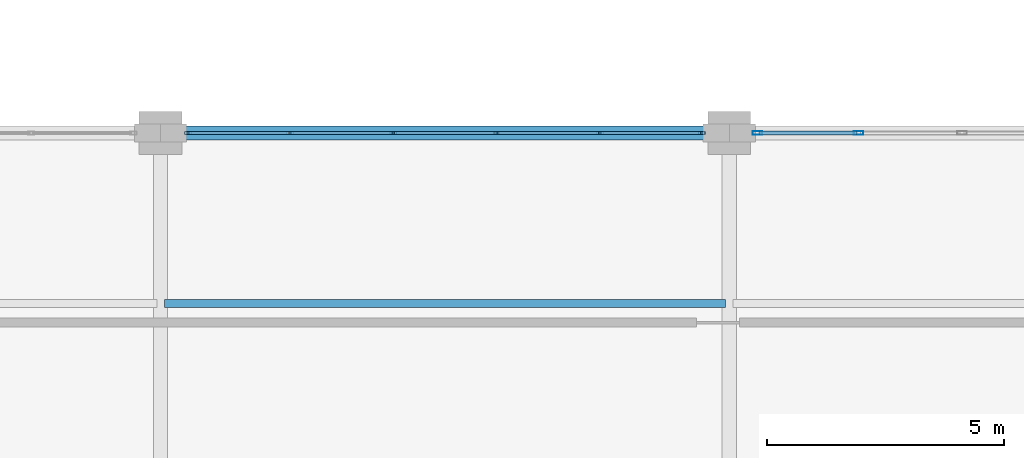
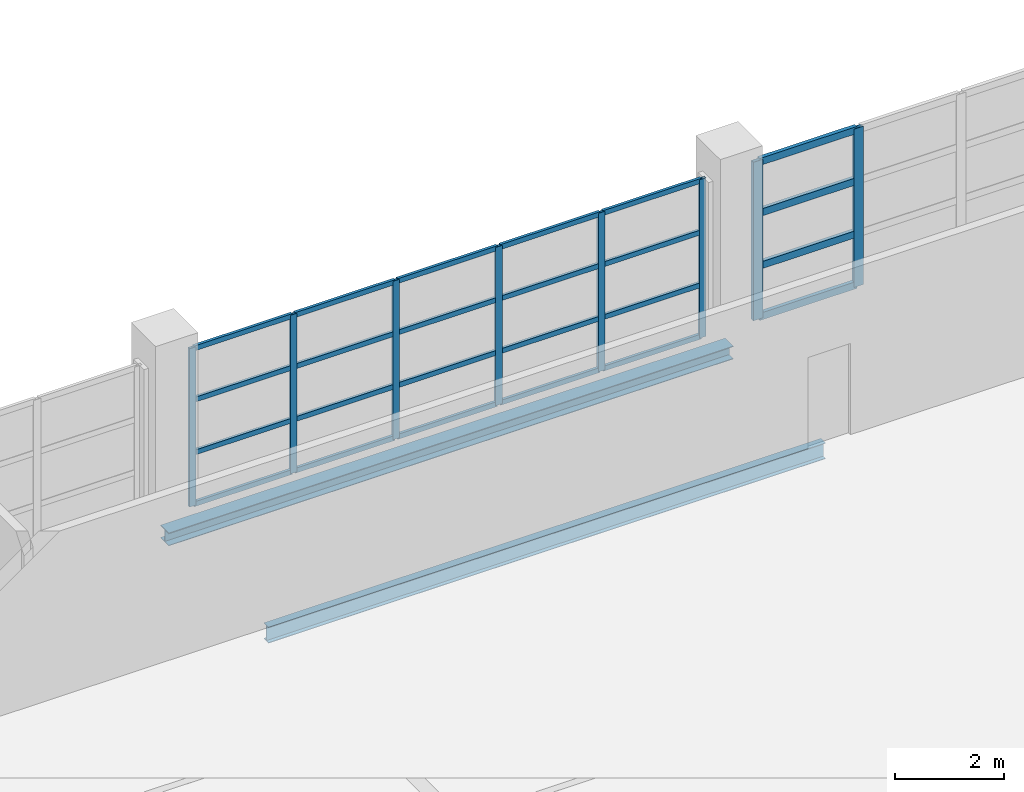
# One storey, part 94 of 158: 32 members, 2 beams, 2 elements without a shape of their own.
"""IFC4 building model written with IfcOpenShell, lengths in metres."""

from ifc_helpers import new_model, si_unit, direction, frame, origin, origin_2d, place, context, subcontext, project, spatial, hollow_rectangle, i_section, extrude, material, layer, layer_set, material_profile, profile_set, type_object, element, aggregate, save


model = new_model("IFC4")

# Units and contexts
model_context = context("Model", 3, precision=1e-05, world=origin(), true_north=direction((0.0, 1.0)))
body_context = subcontext(model_context, "Body", "Model", "MODEL_VIEW")
ifc_project = project(units=[si_unit("LENGTHUNIT", "METRE"), si_unit("AREAUNIT", "SQUARE_METRE"), si_unit("VOLUMEUNIT", "CUBIC_METRE"), si_unit("PLANEANGLEUNIT", "RADIAN"), si_unit("MASSUNIT", "GRAM", prefix="KILO")], contexts=[model_context])

# Site, building, storey
site_placement = place(None, origin())
site = spatial("IfcSite", under=ifc_project, at=site_placement, CompositionType="ELEMENT")
building_placement = place(site_placement, origin())
building = spatial("IfcBuilding", under=site, at=building_placement, Name="Zilviju Railside Exhibition Hall", CompositionType="ELEMENT")
storey_placement = place(building_placement, frame((0.0, 0.0, 4.199951171875)))
storey = spatial("IfcBuildingStorey", under=building, at=storey_placement, Name="L02", CompositionType="ELEMENT", Elevation=4.199951171875)

# Beams
ifc_material_1 = material(Name="Steel S355J2", Category="steel")
ifc_material_profile_1 = material_profile(ifc_material_1, i_section(OverallWidth=0.300048828125, OverallDepth=0.2900390625, WebThickness=0.008544921875, FlangeThickness=0.013916015625, at=origin_2d()), Name="HEA 300")
ifc_profile_set_1 = profile_set([ifc_material_profile_1], Name="Steel S355J2")
beam_type_1 = type_object("IfcBeamType", Name="BM-HEA300", PredefinedType="SPANDREL", material=ifc_profile_set_1)
beam_1_placement = place(storey_placement, frame((192.0, 54.0, -0.474853515625), z_axis=(1.0, 0.0, 0.0), x_axis=(0.0, 1.0, 0.0)))
element("IfcBeam", 1, at=beam_1_placement, inside=storey, type_object=beam_type_1, Name="Primary Girder L02 Y=54.0 (192.0..204.0)", PredefinedType="SPANDREL", context=body_context, shape_type="SweptSolid", body=[
    extrude(i_section(OverallWidth=0.300048828125, OverallDepth=0.2900390625, WebThickness=0.008544921875, FlangeThickness=0.013916015625, at=origin_2d()), origin(), (0.0, 0.0, 1.0), 12.0),
])
ifc_material_profile_2 = material_profile(ifc_material_1, i_section(OverallWidth=0.169921875, OverallDepth=0.360107421875, WebThickness=0.008056640625, FlangeThickness=0.0126953125, at=origin_2d()), Name="IPE 360")
ifc_profile_set_2 = profile_set([ifc_material_profile_2], Name="Steel S355J2")
beam_type_2 = type_object("IfcBeamType", Name="BM-IPE360", PredefinedType="JOIST", material=ifc_profile_set_2)
beam_2_placement = place(storey_placement, frame((192.080078125, 50.39990234375, -0.510009765625), z_axis=(1.0, 0.0, 0.0), x_axis=(0.0, 1.0, 0.0)))
element("IfcBeam", 2, at=beam_2_placement, inside=storey, type_object=beam_type_2, Name="Composite Floor Joist L02 Y=50.40 (192.0..204.0)", PredefinedType="JOIST", context=body_context, shape_type="SweptSolid", body=[
    extrude(i_section(OverallWidth=0.169921875, OverallDepth=0.360107421875, WebThickness=0.008056640625, FlangeThickness=0.0126953125, at=origin_2d()), origin(), (0.0, 0.0, 1.0), 11.83984375),
])

# Curtain wall, members
ifc_material_2 = material(Name="Thermally broken aluminium-steel triple-glazed curtain wall", Category="steel")
ifc_layer_1 = layer(ifc_material_2, 0.179931640625)
ifc_layer_set_1 = layer_set([ifc_layer_1], Name="Thermally broken aluminium-steel triple-glazed curtain wall")
curtain_wall_type_1 = type_object("IfcCurtainWallType", Name="CW-BAY-07", PredefinedType="USERDEFINED", material=ifc_layer_set_1)
curtain_wall_1_placement = place(storey_placement, origin())
curtain_wall_1 = element("IfcCurtainWall", 3, at=curtain_wall_1_placement, inside=storey, type_object=curtain_wall_type_1, Name="South Hall Garden Court Curtain Wall L02 (192..204)", ObjectType="GLAZED CURTAIN WALL", PredefinedType="USERDEFINED")
ifc_material_3 = material(Name="Thermally broken anodized aluminium mullion", Category="aluminium")
ifc_material_profile_3 = material_profile(ifc_material_3, hollow_rectangle(XDim=0.06005859375, YDim=0.139892578125, WallThickness=0.0048828125, at=origin_2d()), Name="MULLION 140x60x5")
ifc_profile_set_3 = profile_set([ifc_material_profile_3], Name="Thermally broken anodized aluminium mullion")
member_type_1 = type_object("IfcMemberType", Name="CWM-60x140", PredefinedType="MULLION", material=ifc_profile_set_3)
member_1_placement = place(storey_placement, frame((192.580078125, 54.0, 0.0), z_axis=(0.0, 0.0, 1.0), x_axis=(0.0, 1.0, 0.0)))
member_1 = element("IfcMember", 4, at=member_1_placement, type_object=member_type_1, Name="CW-07 mullion 1", PredefinedType="MULLION", context=body_context, shape_type="SweptSolid", body=[
    extrude(hollow_rectangle(XDim=0.06005859375, YDim=0.139892578125, WallThickness=0.0048828125, at=origin_2d()), origin(), (0.0, 0.0, 1.0), 3.56005859375),
])
member_2_placement = place(storey_placement, frame((194.72998046875, 54.0, 0.0), z_axis=(0.0, 0.0, 1.0), x_axis=(0.0, 1.0, 0.0)))
member_2 = element("IfcMember", 5, at=member_2_placement, type_object=member_type_1, Name="CW-07 mullion 2", PredefinedType="MULLION", context=body_context, shape_type="SweptSolid", body=[
    extrude(hollow_rectangle(XDim=0.06005859375, YDim=0.139892578125, WallThickness=0.0048828125, at=origin_2d()), origin(), (0.0, 0.0, 1.0), 3.56005859375),
])
member_3_placement = place(storey_placement, frame((196.909912109375, 54.0, 0.0), z_axis=(0.0, 0.0, 1.0), x_axis=(0.0, 1.0, 0.0)))
member_3 = element("IfcMember", 6, at=member_3_placement, type_object=member_type_1, Name="CW-07 mullion 3", PredefinedType="MULLION", context=body_context, shape_type="SweptSolid", body=[
    extrude(hollow_rectangle(XDim=0.06005859375, YDim=0.139892578125, WallThickness=0.0048828125, at=origin_2d()), origin(), (0.0, 0.0, 1.0), 3.56005859375),
])
member_4_placement = place(storey_placement, frame((199.090087890625, 54.0, 0.0), z_axis=(0.0, 0.0, 1.0), x_axis=(0.0, 1.0, 0.0)))
member_4 = element("IfcMember", 7, at=member_4_placement, type_object=member_type_1, Name="CW-07 mullion 4", PredefinedType="MULLION", context=body_context, shape_type="SweptSolid", body=[
    extrude(hollow_rectangle(XDim=0.06005859375, YDim=0.139892578125, WallThickness=0.0048828125, at=origin_2d()), origin(), (0.0, 0.0, 1.0), 3.56005859375),
])
member_5_placement = place(storey_placement, frame((201.27001953125, 54.0, 0.0), z_axis=(0.0, 0.0, 1.0), x_axis=(0.0, 1.0, 0.0)))
member_5 = element("IfcMember", 8, at=member_5_placement, type_object=member_type_1, Name="CW-07 mullion 5", PredefinedType="MULLION", context=body_context, shape_type="SweptSolid", body=[
    extrude(hollow_rectangle(XDim=0.06005859375, YDim=0.139892578125, WallThickness=0.0048828125, at=origin_2d()), origin(), (0.0, 0.0, 1.0), 3.56005859375),
])
member_6_placement = place(storey_placement, frame((203.419921875, 54.0, 0.0), z_axis=(0.0, 0.0, 1.0), x_axis=(0.0, 1.0, 0.0)))
member_6 = element("IfcMember", 9, at=member_6_placement, type_object=member_type_1, Name="CW-07 mullion 6", PredefinedType="MULLION", context=body_context, shape_type="SweptSolid", body=[
    extrude(hollow_rectangle(XDim=0.06005859375, YDim=0.139892578125, WallThickness=0.0048828125, at=origin_2d()), origin(), (0.0, 0.0, 1.0), 3.56005859375),
])

ifc_layer_2 = layer(ifc_material_2, 0.179931640625)
ifc_layer_set_2 = layer_set([ifc_layer_2], Name="Thermally broken aluminium-steel triple-glazed curtain wall")
curtain_wall_type_2 = type_object("IfcCurtainWallType", Name="CW-BAY-08", PredefinedType="USERDEFINED", material=ifc_layer_set_2)
curtain_wall_2_placement = place(storey_placement, origin())
curtain_wall_2 = element("IfcCurtainWall", 10, at=curtain_wall_2_placement, inside=storey, type_object=curtain_wall_type_2, Name="South Hall Garden Court Curtain Wall L02 (204..216)", ObjectType="GLAZED CURTAIN WALL", PredefinedType="USERDEFINED")
ifc_material_profile_4 = material_profile(ifc_material_3, hollow_rectangle(XDim=0.080078125, YDim=0.199951171875, WallThickness=0.0048828125, at=origin_2d()), Name="MULLION 200x80x5")
ifc_profile_set_4 = profile_set([ifc_material_profile_4], Name="Thermally broken anodized aluminium mullion")
member_type_2 = type_object("IfcMemberType", Name="CWM-80x200", PredefinedType="MULLION", material=ifc_profile_set_4)
member_7_placement = place(storey_placement, frame((204.590087890625, 54.0, 0.0), z_axis=(0.0, 0.0, 1.0), x_axis=(0.0, 1.0, 0.0)))
member_7 = element("IfcMember", 11, at=member_7_placement, type_object=member_type_2, Name="CW-08 mullion 1", PredefinedType="MULLION", context=body_context, shape_type="SweptSolid", body=[
    extrude(hollow_rectangle(XDim=0.080078125, YDim=0.199951171875, WallThickness=0.0048828125, at=origin_2d()), origin(), (0.0, 0.0, 1.0), 3.56005859375),
])
member_8_placement = place(storey_placement, frame((206.72998046875, 54.0, 0.0), z_axis=(0.0, 0.0, 1.0), x_axis=(0.0, 1.0, 0.0)))
member_8 = element("IfcMember", 12, at=member_8_placement, type_object=member_type_2, Name="CW-08 mullion 2", PredefinedType="MULLION", context=body_context, shape_type="SweptSolid", body=[
    extrude(hollow_rectangle(XDim=0.080078125, YDim=0.199951171875, WallThickness=0.0048828125, at=origin_2d()), origin(), (0.0, 0.0, 1.0), 3.56005859375),
])

# Member
ifc_material_4 = material(Name="Thermally broken anodized aluminium transom", Category="aluminium")
ifc_material_profile_5 = material_profile(ifc_material_4, hollow_rectangle(XDim=0.06005859375, YDim=0.110107421875, WallThickness=0.0048828125, at=origin_2d()), Name="TRANSOM 110x60x5")
ifc_profile_set_5 = profile_set([ifc_material_profile_5], Name="Thermally broken anodized aluminium transom")
member_type_3 = type_object("IfcMemberType", Name="CWT-60x110", PredefinedType="USERDEFINED", material=ifc_profile_set_5)
member_9_placement = place(storey_placement, frame((192.610107421875, 54.0, 0.030029296875), z_axis=(1.0, 0.0, 0.0), x_axis=(0.0, 1.0, 0.0)))
member_9 = element("IfcMember", 13, at=member_9_placement, type_object=member_type_3, Name="CW-07 transom 1.1", ObjectType="TRANSOM", PredefinedType="USERDEFINED", context=body_context, shape_type="SweptSolid", body=[
    extrude(hollow_rectangle(XDim=0.06005859375, YDim=0.110107421875, WallThickness=0.0048828125, at=origin_2d()), origin(), (0.0, 0.0, 1.0), 2.08984375),
])

member_10_placement = place(storey_placement, frame((192.610107421875, 54.0, 1.18701171875), z_axis=(1.0, 0.0, 0.0), x_axis=(0.0, 1.0, 0.0)))
member_10 = element("IfcMember", 14, at=member_10_placement, type_object=member_type_3, Name="CW-07 transom 1.2", ObjectType="TRANSOM", PredefinedType="USERDEFINED", context=body_context, shape_type="SweptSolid", body=[
    extrude(hollow_rectangle(XDim=0.06005859375, YDim=0.110107421875, WallThickness=0.0048828125, at=origin_2d()), origin(), (0.0, 0.0, 1.0), 2.08984375),
])

member_11_placement = place(storey_placement, frame((192.610107421875, 54.0, 2.373046875), z_axis=(1.0, 0.0, 0.0), x_axis=(0.0, 1.0, 0.0)))
member_11 = element("IfcMember", 15, at=member_11_placement, type_object=member_type_3, Name="CW-07 transom 1.3", ObjectType="TRANSOM", PredefinedType="USERDEFINED", context=body_context, shape_type="SweptSolid", body=[
    extrude(hollow_rectangle(XDim=0.06005859375, YDim=0.110107421875, WallThickness=0.0048828125, at=origin_2d()), origin(), (0.0, 0.0, 1.0), 2.08984375),
])

member_12_placement = place(storey_placement, frame((192.610107421875, 54.0, 3.530029296875), z_axis=(1.0, 0.0, 0.0), x_axis=(0.0, 1.0, 0.0)))
member_12 = element("IfcMember", 16, at=member_12_placement, type_object=member_type_3, Name="CW-07 transom 1.4", ObjectType="TRANSOM", PredefinedType="USERDEFINED", context=body_context, shape_type="SweptSolid", body=[
    extrude(hollow_rectangle(XDim=0.06005859375, YDim=0.110107421875, WallThickness=0.0048828125, at=origin_2d()), origin(), (0.0, 0.0, 1.0), 2.08984375),
])

member_13_placement = place(storey_placement, frame((194.760009765625, 54.0, 0.030029296875), z_axis=(1.0, 0.0, 0.0), x_axis=(0.0, 1.0, 0.0)))
member_13 = element("IfcMember", 17, at=member_13_placement, type_object=member_type_3, Name="CW-07 transom 2.1", ObjectType="TRANSOM", PredefinedType="USERDEFINED", context=body_context, shape_type="SweptSolid", body=[
    extrude(hollow_rectangle(XDim=0.06005859375, YDim=0.110107421875, WallThickness=0.0048828125, at=origin_2d()), origin(), (0.0, 0.0, 1.0), 2.119873046875),
])

member_14_placement = place(storey_placement, frame((194.760009765625, 54.0, 1.18701171875), z_axis=(1.0, 0.0, 0.0), x_axis=(0.0, 1.0, 0.0)))
member_14 = element("IfcMember", 18, at=member_14_placement, type_object=member_type_3, Name="CW-07 transom 2.2", ObjectType="TRANSOM", PredefinedType="USERDEFINED", context=body_context, shape_type="SweptSolid", body=[
    extrude(hollow_rectangle(XDim=0.06005859375, YDim=0.110107421875, WallThickness=0.0048828125, at=origin_2d()), origin(), (0.0, 0.0, 1.0), 2.119873046875),
])

member_15_placement = place(storey_placement, frame((194.760009765625, 54.0, 2.373046875), z_axis=(1.0, 0.0, 0.0), x_axis=(0.0, 1.0, 0.0)))
member_15 = element("IfcMember", 19, at=member_15_placement, type_object=member_type_3, Name="CW-07 transom 2.3", ObjectType="TRANSOM", PredefinedType="USERDEFINED", context=body_context, shape_type="SweptSolid", body=[
    extrude(hollow_rectangle(XDim=0.06005859375, YDim=0.110107421875, WallThickness=0.0048828125, at=origin_2d()), origin(), (0.0, 0.0, 1.0), 2.119873046875),
])

member_16_placement = place(storey_placement, frame((194.760009765625, 54.0, 3.530029296875), z_axis=(1.0, 0.0, 0.0), x_axis=(0.0, 1.0, 0.0)))
member_16 = element("IfcMember", 20, at=member_16_placement, type_object=member_type_3, Name="CW-07 transom 2.4", ObjectType="TRANSOM", PredefinedType="USERDEFINED", context=body_context, shape_type="SweptSolid", body=[
    extrude(hollow_rectangle(XDim=0.06005859375, YDim=0.110107421875, WallThickness=0.0048828125, at=origin_2d()), origin(), (0.0, 0.0, 1.0), 2.119873046875),
])

member_17_placement = place(storey_placement, frame((196.93994140625, 54.0, 0.030029296875), z_axis=(1.0, 0.0, 0.0), x_axis=(0.0, 1.0, 0.0)))
member_17 = element("IfcMember", 21, at=member_17_placement, type_object=member_type_3, Name="CW-07 transom 3.1", ObjectType="TRANSOM", PredefinedType="USERDEFINED", context=body_context, shape_type="SweptSolid", body=[
    extrude(hollow_rectangle(XDim=0.06005859375, YDim=0.110107421875, WallThickness=0.0048828125, at=origin_2d()), origin(), (0.0, 0.0, 1.0), 2.1201171875),
])

member_18_placement = place(storey_placement, frame((196.93994140625, 54.0, 1.18701171875), z_axis=(1.0, 0.0, 0.0), x_axis=(0.0, 1.0, 0.0)))
member_18 = element("IfcMember", 22, at=member_18_placement, type_object=member_type_3, Name="CW-07 transom 3.2", ObjectType="TRANSOM", PredefinedType="USERDEFINED", context=body_context, shape_type="SweptSolid", body=[
    extrude(hollow_rectangle(XDim=0.06005859375, YDim=0.110107421875, WallThickness=0.0048828125, at=origin_2d()), origin(), (0.0, 0.0, 1.0), 2.1201171875),
])

member_19_placement = place(storey_placement, frame((196.93994140625, 54.0, 2.373046875), z_axis=(1.0, 0.0, 0.0), x_axis=(0.0, 1.0, 0.0)))
member_19 = element("IfcMember", 23, at=member_19_placement, type_object=member_type_3, Name="CW-07 transom 3.3", ObjectType="TRANSOM", PredefinedType="USERDEFINED", context=body_context, shape_type="SweptSolid", body=[
    extrude(hollow_rectangle(XDim=0.06005859375, YDim=0.110107421875, WallThickness=0.0048828125, at=origin_2d()), origin(), (0.0, 0.0, 1.0), 2.1201171875),
])

member_20_placement = place(storey_placement, frame((196.93994140625, 54.0, 3.530029296875), z_axis=(1.0, 0.0, 0.0), x_axis=(0.0, 1.0, 0.0)))
member_20 = element("IfcMember", 24, at=member_20_placement, type_object=member_type_3, Name="CW-07 transom 3.4", ObjectType="TRANSOM", PredefinedType="USERDEFINED", context=body_context, shape_type="SweptSolid", body=[
    extrude(hollow_rectangle(XDim=0.06005859375, YDim=0.110107421875, WallThickness=0.0048828125, at=origin_2d()), origin(), (0.0, 0.0, 1.0), 2.1201171875),
])

member_21_placement = place(storey_placement, frame((199.1201171875, 54.0, 0.030029296875), z_axis=(1.0, 0.0, 0.0), x_axis=(0.0, 1.0, 0.0)))
member_21 = element("IfcMember", 25, at=member_21_placement, type_object=member_type_3, Name="CW-07 transom 4.1", ObjectType="TRANSOM", PredefinedType="USERDEFINED", context=body_context, shape_type="SweptSolid", body=[
    extrude(hollow_rectangle(XDim=0.06005859375, YDim=0.110107421875, WallThickness=0.0048828125, at=origin_2d()), origin(), (0.0, 0.0, 1.0), 2.119873046875),
])

member_22_placement = place(storey_placement, frame((199.1201171875, 54.0, 1.18701171875), z_axis=(1.0, 0.0, 0.0), x_axis=(0.0, 1.0, 0.0)))
member_22 = element("IfcMember", 26, at=member_22_placement, type_object=member_type_3, Name="CW-07 transom 4.2", ObjectType="TRANSOM", PredefinedType="USERDEFINED", context=body_context, shape_type="SweptSolid", body=[
    extrude(hollow_rectangle(XDim=0.06005859375, YDim=0.110107421875, WallThickness=0.0048828125, at=origin_2d()), origin(), (0.0, 0.0, 1.0), 2.119873046875),
])

member_23_placement = place(storey_placement, frame((199.1201171875, 54.0, 2.373046875), z_axis=(1.0, 0.0, 0.0), x_axis=(0.0, 1.0, 0.0)))
member_23 = element("IfcMember", 27, at=member_23_placement, type_object=member_type_3, Name="CW-07 transom 4.3", ObjectType="TRANSOM", PredefinedType="USERDEFINED", context=body_context, shape_type="SweptSolid", body=[
    extrude(hollow_rectangle(XDim=0.06005859375, YDim=0.110107421875, WallThickness=0.0048828125, at=origin_2d()), origin(), (0.0, 0.0, 1.0), 2.119873046875),
])

member_24_placement = place(storey_placement, frame((199.1201171875, 54.0, 3.530029296875), z_axis=(1.0, 0.0, 0.0), x_axis=(0.0, 1.0, 0.0)))
member_24 = element("IfcMember", 28, at=member_24_placement, type_object=member_type_3, Name="CW-07 transom 4.4", ObjectType="TRANSOM", PredefinedType="USERDEFINED", context=body_context, shape_type="SweptSolid", body=[
    extrude(hollow_rectangle(XDim=0.06005859375, YDim=0.110107421875, WallThickness=0.0048828125, at=origin_2d()), origin(), (0.0, 0.0, 1.0), 2.119873046875),
])

member_25_placement = place(storey_placement, frame((201.300048828125, 54.0, 0.030029296875), z_axis=(1.0, 0.0, 0.0), x_axis=(0.0, 1.0, 0.0)))
member_25 = element("IfcMember", 29, at=member_25_placement, type_object=member_type_3, Name="CW-07 transom 5.1", ObjectType="TRANSOM", PredefinedType="USERDEFINED", context=body_context, shape_type="SweptSolid", body=[
    extrude(hollow_rectangle(XDim=0.06005859375, YDim=0.110107421875, WallThickness=0.0048828125, at=origin_2d()), origin(), (0.0, 0.0, 1.0), 2.08984375),
])

member_26_placement = place(storey_placement, frame((201.300048828125, 54.0, 1.18701171875), z_axis=(1.0, 0.0, 0.0), x_axis=(0.0, 1.0, 0.0)))
member_26 = element("IfcMember", 30, at=member_26_placement, type_object=member_type_3, Name="CW-07 transom 5.2", ObjectType="TRANSOM", PredefinedType="USERDEFINED", context=body_context, shape_type="SweptSolid", body=[
    extrude(hollow_rectangle(XDim=0.06005859375, YDim=0.110107421875, WallThickness=0.0048828125, at=origin_2d()), origin(), (0.0, 0.0, 1.0), 2.08984375),
])

member_27_placement = place(storey_placement, frame((201.300048828125, 54.0, 2.373046875), z_axis=(1.0, 0.0, 0.0), x_axis=(0.0, 1.0, 0.0)))
member_27 = element("IfcMember", 31, at=member_27_placement, type_object=member_type_3, Name="CW-07 transom 5.3", ObjectType="TRANSOM", PredefinedType="USERDEFINED", context=body_context, shape_type="SweptSolid", body=[
    extrude(hollow_rectangle(XDim=0.06005859375, YDim=0.110107421875, WallThickness=0.0048828125, at=origin_2d()), origin(), (0.0, 0.0, 1.0), 2.08984375),
])

member_28_placement = place(storey_placement, frame((201.300048828125, 54.0, 3.530029296875), z_axis=(1.0, 0.0, 0.0), x_axis=(0.0, 1.0, 0.0)))
member_28 = element("IfcMember", 32, at=member_28_placement, type_object=member_type_3, Name="CW-07 transom 5.4", ObjectType="TRANSOM", PredefinedType="USERDEFINED", context=body_context, shape_type="SweptSolid", body=[
    extrude(hollow_rectangle(XDim=0.06005859375, YDim=0.110107421875, WallThickness=0.0048828125, at=origin_2d()), origin(), (0.0, 0.0, 1.0), 2.08984375),
])

aggregate(curtain_wall_1, [member_1, member_2, member_3, member_4, member_5, member_6, member_9, member_10, member_11, member_12, member_13, member_14, member_15, member_16, member_17, member_18, member_19, member_20, member_21, member_22, member_23, member_24, member_25, member_26, member_27, member_28])

ifc_material_profile_6 = material_profile(ifc_material_4, hollow_rectangle(XDim=0.080078125, YDim=0.159912109375, WallThickness=0.0048828125, at=origin_2d()), Name="TRANSOM 160x80x5")
ifc_profile_set_6 = profile_set([ifc_material_profile_6], Name="Thermally broken anodized aluminium transom")
member_type_4 = type_object("IfcMemberType", Name="CWT-80x160", PredefinedType="USERDEFINED", material=ifc_profile_set_6)
member_29_placement = place(storey_placement, frame((204.6298828125, 54.0, 0.0400390625), z_axis=(1.0, 0.0, 0.0), x_axis=(0.0, 1.0, 0.0)))
member_29 = element("IfcMember", 33, at=member_29_placement, type_object=member_type_4, Name="CW-08 transom 1.1", ObjectType="TRANSOM", PredefinedType="USERDEFINED", context=body_context, shape_type="SweptSolid", body=[
    extrude(hollow_rectangle(XDim=0.080078125, YDim=0.159912109375, WallThickness=0.0048828125, at=origin_2d()), origin(), (0.0, 0.0, 1.0), 2.06005859375),
])

member_30_placement = place(storey_placement, frame((204.6298828125, 54.0, 1.18701171875), z_axis=(1.0, 0.0, 0.0), x_axis=(0.0, 1.0, 0.0)))
member_30 = element("IfcMember", 34, at=member_30_placement, type_object=member_type_4, Name="CW-08 transom 1.2", ObjectType="TRANSOM", PredefinedType="USERDEFINED", context=body_context, shape_type="SweptSolid", body=[
    extrude(hollow_rectangle(XDim=0.080078125, YDim=0.159912109375, WallThickness=0.0048828125, at=origin_2d()), origin(), (0.0, 0.0, 1.0), 2.06005859375),
])

member_31_placement = place(storey_placement, frame((204.6298828125, 54.0, 2.373046875), z_axis=(1.0, 0.0, 0.0), x_axis=(0.0, 1.0, 0.0)))
member_31 = element("IfcMember", 35, at=member_31_placement, type_object=member_type_4, Name="CW-08 transom 1.3", ObjectType="TRANSOM", PredefinedType="USERDEFINED", context=body_context, shape_type="SweptSolid", body=[
    extrude(hollow_rectangle(XDim=0.080078125, YDim=0.159912109375, WallThickness=0.0048828125, at=origin_2d()), origin(), (0.0, 0.0, 1.0), 2.06005859375),
])

member_32_placement = place(storey_placement, frame((204.6298828125, 54.0, 3.52001953125), z_axis=(1.0, 0.0, 0.0), x_axis=(0.0, 1.0, 0.0)))
member_32 = element("IfcMember", 36, at=member_32_placement, type_object=member_type_4, Name="CW-08 transom 1.4", ObjectType="TRANSOM", PredefinedType="USERDEFINED", context=body_context, shape_type="SweptSolid", body=[
    extrude(hollow_rectangle(XDim=0.080078125, YDim=0.159912109375, WallThickness=0.0048828125, at=origin_2d()), origin(), (0.0, 0.0, 1.0), 2.06005859375),
])

aggregate(curtain_wall_2, [member_7, member_8, member_29, member_30, member_31, member_32])

save(model, "model.ifc")
